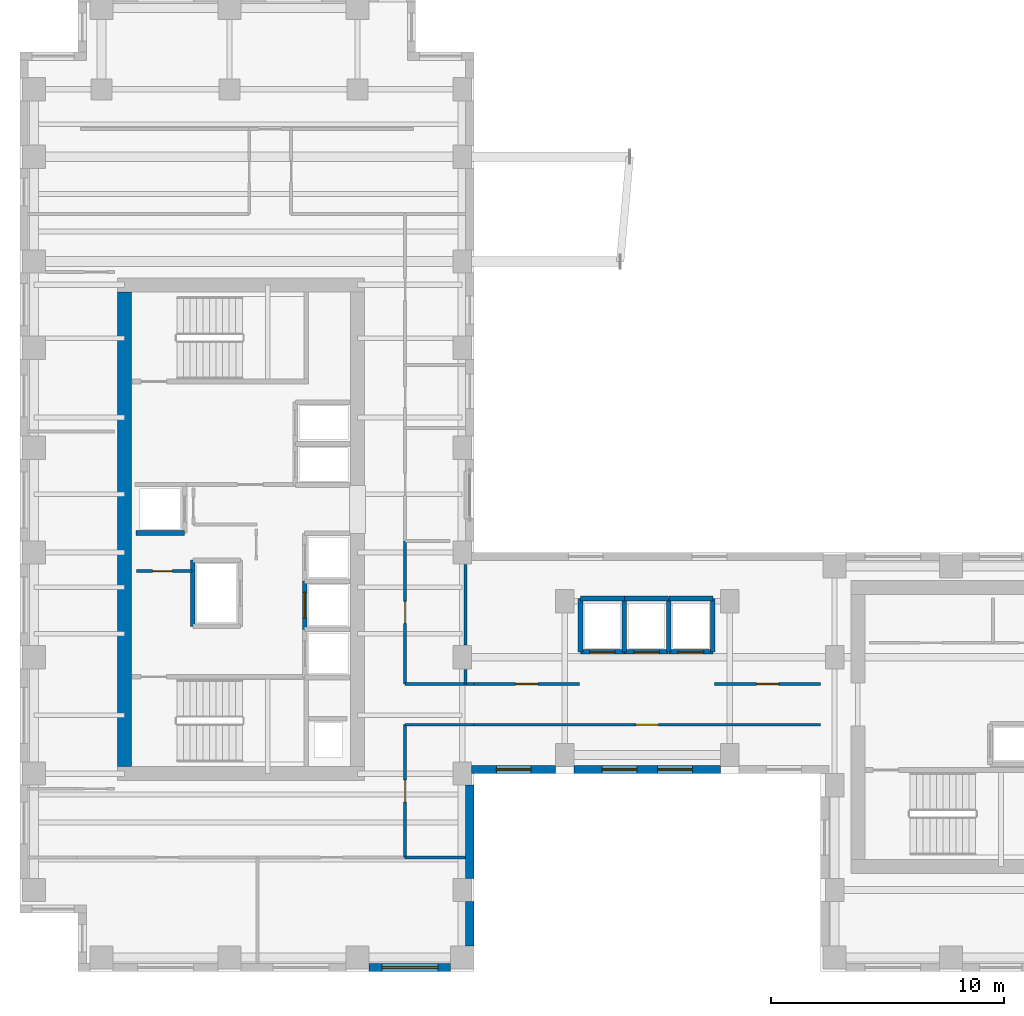
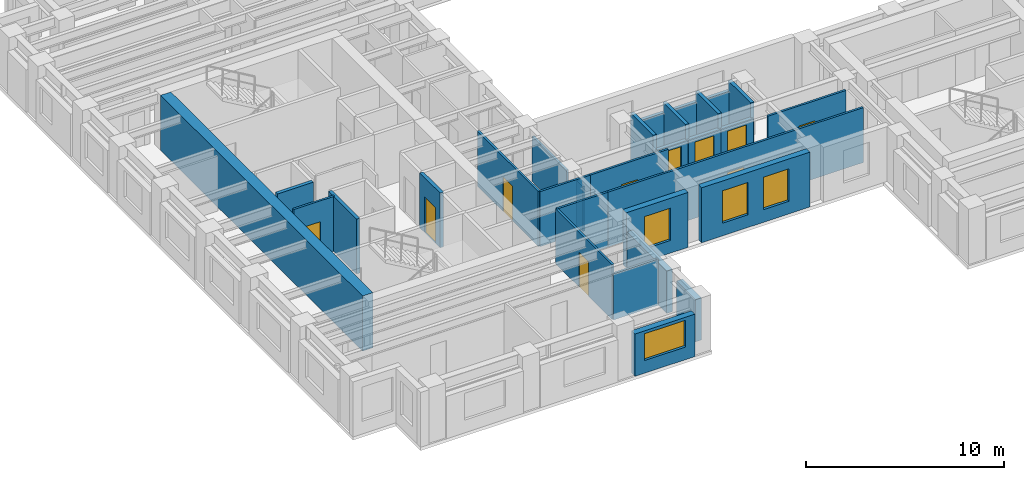
# One storey, part 6 of 13: 30 walls, 10 doors, 4 windows, 14 openings.
"""IFC4 building model written with IfcOpenShell, lengths in metres."""

from ifc_helpers import new_model, si_unit, direction, frame, frame_2d, origin, place, context, subcontext, project, spatial, rectangle, extrude, source, transform, mapped, material, layer, layer_set, type_object, element, fill, save


model = new_model("IFC4")

# Units and contexts
model_context = context("Model", 3, precision=1e-05, world=origin(), true_north=direction((0.0, 1.0)))
body_context = subcontext(model_context, "Body", "Model", "MODEL_VIEW")
ifc_project = project(units=[si_unit("LENGTHUNIT", "METRE"), si_unit("AREAUNIT", "SQUARE_METRE"), si_unit("VOLUMEUNIT", "CUBIC_METRE"), si_unit("PLANEANGLEUNIT", "RADIAN"), si_unit("MASSUNIT", "GRAM", prefix="KILO")], contexts=[model_context])

# Site, building, storey
site_placement = place(None, origin())
site = spatial("IfcSite", under=ifc_project, at=site_placement, CompositionType="ELEMENT")
building_placement = place(site_placement, origin())
building = spatial("IfcBuilding", under=site, at=building_placement, Name="Kharzan Plaza Tower", CompositionType="ELEMENT")
storey_placement = place(building_placement, frame((0.0, 0.0, 153.89990234375)))
storey = spatial("IfcBuildingStorey", under=building, at=storey_placement, Name="L41", CompositionType="ELEMENT", Elevation=153.89990234375)

# Wall, opening, window
ifc_material_1 = material(Name="Concrete C40/50", Category="concrete")
ifc_layer_1 = layer(ifc_material_1, 0.35009765625)
ifc_layer_set_1 = layer_set([ifc_layer_1], Name="Concrete C40/50")
wall_type_1 = type_object("IfcWallType", Name="WL-EXT-MAS-Z3", PredefinedType="SOLIDWALL", material=ifc_layer_set_1)
wall_1_placement = place(storey_placement, frame((14.998046875, 0.175048828125, 0.0), z_axis=(0.0, 0.0, 1.0), x_axis=(1.0, 0.0, 0.0)))
wall_1 = element("IfcWall", 1, at=wall_1_placement, inside=storey, type_object=wall_type_1, Name="L41 Masonry-Frame Exterior Wall 23", PredefinedType="SOLIDWALL", context=body_context, shape_type="SweptSolid", body=[
    extrude(rectangle(XDim=3.50390625, YDim=0.35009765625, at=frame_2d((1.751953125, 0.0))), origin(), (0.0, 0.0, 1.0), 2.612060546875),
])
opening_1_placement = place(wall_1_placement, frame((0.552001953125, 0.0, 0.780029296875)))
opening_1 = element("IfcOpeningElement", 2, at=opening_1_placement, cuts=wall_1, Name="Opening W2", PredefinedType="OPENING", context=body_context, shape_type="SweptSolid", body=[
    extrude(rectangle(XDim=2.39990234375, YDim=1.652099609375, at=frame_2d((1.199951171875, 0.826171875))), frame((0.0, 0.18505859375, 0.0), z_axis=(0.0, -1.0, 0.0), x_axis=(1.0, 0.0, 0.0)), (0.0, 0.0, 1.0), 0.3701171875),
])
ifc_material_2 = material(Name="Low-E Double Glazing", Category="glass")
window_type_1 = type_object("IfcWindowType", Name="WN-REC-2400x2100", PartitioningType="SINGLE_PANEL", PredefinedType="WINDOW", material=ifc_material_2)
shared_shape_1 = source(origin(), body_context, "Body", "SweptSolid", [
    extrude(rectangle(XDim=2.39990234375, YDim=1.652099609375, at=frame_2d((1.199951171875, 0.826171875))), frame((0.0, 0.030029296875, 0.0), z_axis=(0.0, -1.0, 0.0), x_axis=(1.0, 0.0, 0.0)), (0.0, 0.0, 1.0), 0.06005859375),
])
window_1_placement = place(opening_1_placement, origin())
window_1 = element("IfcWindow", 3, at=window_1_placement, inside=storey, type_object=window_type_1, Name="L41 Wide Recessed Solar-Control Window 23-1", OverallHeight=1.652099609375, OverallWidth=2.39990234375, PartitioningType="SINGLE_PANEL", PredefinedType="WINDOW", context=body_context, shape_type="MappedRepresentation", body=[
    mapped(shared_shape_1, transform((0.0, 0.0, 0.0), x_axis=(1.0, 0.0, 0.0), y_axis=(0.0, 1.0, 0.0), z_axis=(0.0, 0.0, 1.0))),
])
fill(opening_1, window_1)

wall_2_placement = place(storey_placement, frame((19.39794921875, 8.675048828125, 0.0), z_axis=(0.0, 0.0, 1.0), x_axis=(1.0, 0.0, 0.0)))
wall_2 = element("IfcWall", 4, at=wall_2_placement, inside=storey, type_object=wall_type_1, Name="L41 Masonry-Frame Exterior Wall 26", PredefinedType="SOLIDWALL", context=body_context, shape_type="SweptSolid", body=[
    extrude(rectangle(XDim=3.60400390625, YDim=0.35009765625, at=frame_2d((1.802001953125, 0.0))), origin(), (0.0, 0.0, 1.0), 3.385009765625),
])
opening_2_placement = place(wall_2_placement, frame((1.067138671875, 0.0, 0.780029296875)))
opening_2 = element("IfcOpeningElement", 5, at=opening_2_placement, cuts=wall_2, Name="Opening W5", PredefinedType="OPENING", context=body_context, shape_type="SweptSolid", body=[
    extrude(rectangle(XDim=1.5, YDim=2.0, at=frame_2d((0.75, 1.0))), frame((0.0, 0.18505859375, 0.0), z_axis=(0.0, -1.0, 0.0), x_axis=(1.0, 0.0, 0.0)), (0.0, 0.0, 1.0), 0.3701171875),
])
window_type_2 = type_object("IfcWindowType", Name="WN-SLT-1500x2000", PartitioningType="SINGLE_PANEL", PredefinedType="WINDOW", material=ifc_material_2)
shared_shape_2 = source(origin(), body_context, "Body", "SweptSolid", [
    extrude(rectangle(XDim=1.5, YDim=2.0, at=frame_2d((0.75, 1.0))), frame((0.0, 0.030029296875, 0.0), z_axis=(0.0, -1.0, 0.0), x_axis=(1.0, 0.0, 0.0)), (0.0, 0.0, 1.0), 0.06005859375),
])
window_2_placement = place(opening_2_placement, origin())
window_2 = element("IfcWindow", 6, at=window_2_placement, inside=storey, type_object=window_type_2, Name="L41 Recessed Solar-Control Window 26-1", OverallHeight=2.0, OverallWidth=1.5, PartitioningType="SINGLE_PANEL", PredefinedType="WINDOW", context=body_context, shape_type="MappedRepresentation", body=[
    mapped(shared_shape_2, transform((0.0, 0.0, 0.0), x_axis=(1.0, 0.0, 0.0), y_axis=(0.0, 1.0, 0.0), z_axis=(0.0, 0.0, 1.0))),
])
fill(opening_2, window_2)

# Wall, openings, windows
wall_3_placement = place(storey_placement, frame((23.798095703125, 8.675048828125, 0.0), z_axis=(0.0, 0.0, 1.0), x_axis=(1.0, 0.0, 0.0)))
wall_3 = element("IfcWall", 7, at=wall_3_placement, inside=storey, type_object=wall_type_1, Name="L41 Masonry-Frame Exterior Wall 27", PredefinedType="SOLIDWALL", context=body_context, shape_type="SweptSolid", body=[
    extrude(rectangle(XDim=6.303955078125, YDim=0.35009765625, at=frame_2d((3.15185546875, 0.0))), origin(), (0.0, 0.0, 1.0), 3.385009765625),
])
opening_3_placement = place(wall_3_placement, frame((1.2080078125, 0.0, 0.780029296875)))
opening_3 = element("IfcOpeningElement", 8, at=opening_3_placement, cuts=wall_3, Name="Opening W5", PredefinedType="OPENING", context=body_context, shape_type="SweptSolid", body=[
    extrude(rectangle(XDim=1.5, YDim=2.0, at=frame_2d((0.75, 1.0))), frame((0.0, 0.18505859375, 0.0), z_axis=(0.0, -1.0, 0.0), x_axis=(1.0, 0.0, 0.0)), (0.0, 0.0, 1.0), 0.3701171875),
])
opening_4_placement = place(wall_3_placement, frame((3.595947265625, 0.0, 0.780029296875)))
opening_4 = element("IfcOpeningElement", 9, at=opening_4_placement, cuts=wall_3, Name="Opening W5", PredefinedType="OPENING", context=body_context, shape_type="SweptSolid", body=[
    extrude(rectangle(XDim=1.5, YDim=2.0, at=frame_2d((0.75, 1.0))), frame((0.0, 0.18505859375, 0.0), z_axis=(0.0, -1.0, 0.0), x_axis=(1.0, 0.0, 0.0)), (0.0, 0.0, 1.0), 0.3701171875),
])
window_3_placement = place(opening_3_placement, origin())
window_3 = element("IfcWindow", 10, at=window_3_placement, inside=storey, type_object=window_type_2, Name="L41 Recessed Solar-Control Window 27-1", OverallHeight=2.0, OverallWidth=1.5, PartitioningType="SINGLE_PANEL", PredefinedType="WINDOW", context=body_context, shape_type="MappedRepresentation", body=[
    mapped(shared_shape_2, transform((0.0, 0.0, 0.0), x_axis=(1.0, 0.0, 0.0), y_axis=(0.0, 1.0, 0.0), z_axis=(0.0, 0.0, 1.0))),
])
fill(opening_3, window_3)
window_4_placement = place(opening_4_placement, origin())
window_4 = element("IfcWindow", 11, at=window_4_placement, inside=storey, type_object=window_type_2, Name="L41 Recessed Solar-Control Window 27-2", OverallHeight=2.0, OverallWidth=1.5, PartitioningType="SINGLE_PANEL", PredefinedType="WINDOW", context=body_context, shape_type="MappedRepresentation", body=[
    mapped(shared_shape_2, transform((0.0, 0.0, 0.0), x_axis=(1.0, 0.0, 0.0), y_axis=(0.0, 1.0, 0.0), z_axis=(0.0, 0.0, 1.0))),
])
fill(opening_4, window_4)

# Wall, opening, door
ifc_material_3 = material(Name="Fire-Rated Gypsum Board Partition", Category="gypsum")
ifc_layer_2 = layer(ifc_material_3, 0.125)
ifc_layer_set_2 = layer_set([ifc_layer_2], Name="Fire-Rated Gypsum Board Partition")
wall_type_2 = type_object("IfcWallType", Name="WL-INT-PART-125", PredefinedType="PARTITIONING", material=ifc_layer_set_2)
wall_4_placement = place(storey_placement, frame((5.0, 17.199951171875, 0.0), z_axis=(0.0, 0.0, 1.0), x_axis=(1.0, 0.0, 0.0)))
wall_4 = element("IfcWall", 12, at=wall_4_placement, inside=storey, type_object=wall_type_2, Name="L41 Interior Partition CA-K2N0", PredefinedType="PARTITIONING", context=body_context, shape_type="SweptSolid", body=[
    extrude(rectangle(XDim=2.39990234375, YDim=0.125, at=frame_2d((1.199951171875, 0.0))), origin(), (0.0, 0.0, 1.0), 3.385009765625),
])
opening_5_placement = place(wall_4_placement, frame((0.699951171875, 0.0, 0.0)))
opening_5 = element("IfcOpeningElement", 13, at=opening_5_placement, cuts=wall_4, Name="Opening RD1", PredefinedType="OPENING", context=body_context, shape_type="SweptSolid", body=[
    extrude(rectangle(XDim=0.85009765625, YDim=2.10009765625, at=frame_2d((0.425048828125, 1.050048828125))), frame((0.0, 0.072509765625, 0.0), z_axis=(0.0, -1.0, 0.0), x_axis=(1.0, 0.0, 0.0)), (0.0, 0.0, 1.0), 0.14501953125),
])
ifc_material_4 = material(Name="Powder-Coated Fire-Rated Steel", Category="steel")
door_type_1 = type_object("IfcDoorType", Name="DR-RISER-900", OperationType="NOTDEFINED", PredefinedType="DOOR", material=ifc_material_4)
shared_shape_3 = source(origin(), body_context, "Body", "SweptSolid", [
    extrude(rectangle(XDim=0.85009765625, YDim=2.10009765625, at=frame_2d((0.425048828125, 1.050048828125))), frame((0.0, 0.02490234375, 0.0), z_axis=(0.0, -1.0, 0.0), x_axis=(1.0, 0.0, 0.0)), (0.0, 0.0, 1.0), 0.050048828125),
])
door_1_placement = place(opening_5_placement, origin())
door_1 = element("IfcDoor", 14, at=door_1_placement, inside=storey, type_object=door_type_1, Name="L41 Core Electrical Store Door", OperationType="SINGLE_SWING_LEFT", OverallHeight=2.10009765625, OverallWidth=0.85009765625, PredefinedType="DOOR", context=body_context, shape_type="MappedRepresentation", body=[
    mapped(shared_shape_3, transform((0.0, 0.0, 0.0), x_axis=(1.0, 0.0, 0.0), y_axis=(0.0, 1.0, 0.0), z_axis=(0.0, 0.0, 1.0))),
])
fill(opening_5, door_1)

wall_5_placement = place(storey_placement, frame((16.550048828125, 12.35009765625, 0.0), z_axis=(0.0, 0.0, 1.0), x_axis=(0.0, 1.0, 0.0)))
wall_5 = element("IfcWall", 15, at=wall_5_placement, inside=storey, type_object=wall_type_2, Name="L41 Interior Partition SH-AEWN1", PredefinedType="PARTITIONING", context=body_context, shape_type="SweptSolid", body=[
    extrude(rectangle(XDim=6.14990234375, YDim=0.125, at=frame_2d((3.074951171875, 0.0))), origin(), (0.0, 0.0, 1.0), 3.385009765625),
])
opening_6_placement = place(wall_5_placement, frame((2.60009765625, 0.0, 0.0)))
opening_6 = element("IfcOpeningElement", 16, at=opening_6_placement, cuts=wall_5, Name="Opening OD1", PredefinedType="OPENING", context=body_context, shape_type="SweptSolid", body=[
    extrude(rectangle(XDim=0.949951171875, YDim=2.14990234375, at=frame_2d((0.47509765625, 1.074951171875))), frame((0.0, 0.072509765625, 0.0), z_axis=(0.0, -1.0, 0.0), x_axis=(1.0, 0.0, 0.0)), (0.0, 0.0, 1.0), 0.14501953125),
])
ifc_material_5 = material(Name="Acoustic Solid-Core Stained Oak", Category="timber")
door_type_2 = type_object("IfcDoorType", Name="DR-OFF-SINGLE", OperationType="NOTDEFINED", PredefinedType="DOOR", material=ifc_material_5)
shared_shape_4 = source(origin(), body_context, "Body", "SweptSolid", [
    extrude(rectangle(XDim=0.949951171875, YDim=2.14990234375, at=frame_2d((0.47509765625, 1.074951171875))), frame((0.0, 0.02490234375, 0.0), z_axis=(0.0, -1.0, 0.0), x_axis=(1.0, 0.0, 0.0)), (0.0, 0.0, 1.0), 0.050048828125),
])
door_2_placement = place(opening_6_placement, origin())
door_2 = element("IfcDoor", 17, at=door_2_placement, inside=storey, type_object=door_type_2, Name="L41 Slot Collaboration Door", OperationType="SINGLE_SWING_RIGHT", OverallHeight=2.14990234375, OverallWidth=0.949951171875, PredefinedType="DOOR", context=body_context, shape_type="MappedRepresentation", body=[
    mapped(shared_shape_4, transform((0.0, 0.0, 0.0), x_axis=(1.0, 0.0, 0.0), y_axis=(0.0, 1.0, 0.0), z_axis=(0.0, 0.0, 1.0))),
])
fill(opening_6, door_2)

wall_6_placement = place(storey_placement, frame((16.550048828125, 4.89990234375, 0.0), z_axis=(0.0, 0.0, 1.0), x_axis=(0.0, 1.0, 0.0)))
wall_6 = element("IfcWall", 18, at=wall_6_placement, inside=storey, type_object=wall_type_2, Name="L41 Interior Partition SH-AEWS", PredefinedType="PARTITIONING", context=body_context, shape_type="SweptSolid", body=[
    extrude(rectangle(XDim=5.7001953125, YDim=0.125, at=frame_2d((2.85009765625, 0.0))), origin(), (0.0, 0.0, 1.0), 3.385009765625),
])
opening_7_placement = place(wall_6_placement, frame((2.375, 0.0, 0.0)))
opening_7 = element("IfcOpeningElement", 19, at=opening_7_placement, cuts=wall_6, Name="Opening OD1", PredefinedType="OPENING", context=body_context, shape_type="SweptSolid", body=[
    extrude(rectangle(XDim=0.949951171875, YDim=2.14990234375, at=frame_2d((0.47509765625, 1.074951171875))), frame((0.0, 0.072509765625, 0.0), z_axis=(0.0, -1.0, 0.0), x_axis=(1.0, 0.0, 0.0)), (0.0, 0.0, 1.0), 0.14501953125),
])
door_3_placement = place(opening_7_placement, origin())
door_3 = element("IfcDoor", 20, at=door_3_placement, inside=storey, type_object=door_type_2, Name="L41 Slot South Office Door", OperationType="SINGLE_SWING_LEFT", OverallHeight=2.14990234375, OverallWidth=0.949951171875, PredefinedType="DOOR", context=body_context, shape_type="MappedRepresentation", body=[
    mapped(shared_shape_4, transform((0.0, 0.0, 0.0), x_axis=(1.0, 0.0, 0.0), y_axis=(0.0, 1.0, 0.0), z_axis=(0.0, 0.0, 1.0))),
])
fill(opening_7, door_3)

wall_7_placement = place(storey_placement, frame((29.85009765625, 12.35009765625, 0.0), z_axis=(0.0, 0.0, 1.0), x_axis=(1.0, 0.0, 0.0)))
wall_7 = element("IfcWall", 21, at=wall_7_placement, inside=storey, type_object=wall_type_2, Name="L41 Interior Partition SH-SPNE1", PredefinedType="PARTITIONING", context=body_context, shape_type="SweptSolid", body=[
    extrude(rectangle(XDim=4.5498046875, YDim=0.125, at=frame_2d((2.27490234375, 0.0))), origin(), (0.0, 0.0, 1.0), 3.385009765625),
])
opening_8_placement = place(wall_7_placement, frame((1.800048828125, 0.0, 0.0)))
opening_8 = element("IfcOpeningElement", 22, at=opening_8_placement, cuts=wall_7, Name="Opening OD1", PredefinedType="OPENING", context=body_context, shape_type="SweptSolid", body=[
    extrude(rectangle(XDim=0.949951171875, YDim=2.14990234375, at=frame_2d((0.47509765625, 1.074951171875))), frame((0.0, 0.072509765625, 0.0), z_axis=(0.0, -1.0, 0.0), x_axis=(1.0, 0.0, 0.0)), (0.0, 0.0, 1.0), 0.14501953125),
])
door_4_placement = place(opening_8_placement, origin())
door_4 = element("IfcDoor", 23, at=door_4_placement, inside=storey, type_object=door_type_2, Name="L41 North-East Spine Door", OperationType="SINGLE_SWING_RIGHT", OverallHeight=2.14990234375, OverallWidth=0.949951171875, PredefinedType="DOOR", context=body_context, shape_type="MappedRepresentation", body=[
    mapped(shared_shape_4, transform((0.0, 0.0, 0.0), x_axis=(1.0, 0.0, 0.0), y_axis=(0.0, 1.0, 0.0), z_axis=(0.0, 0.0, 1.0))),
])
fill(opening_8, door_4)

wall_8_placement = place(storey_placement, frame((19.5, 12.35009765625, 0.0), z_axis=(0.0, 0.0, 1.0), x_axis=(1.0, 0.0, 0.0)))
wall_8 = element("IfcWall", 24, at=wall_8_placement, inside=storey, type_object=wall_type_2, Name="L41 Interior Partition SH-SPNW1", PredefinedType="PARTITIONING", context=body_context, shape_type="SweptSolid", body=[
    extrude(rectangle(XDim=4.550048828125, YDim=0.125, at=frame_2d((2.27490234375, 0.0))), origin(), (0.0, 0.0, 1.0), 3.385009765625),
])
opening_9_placement = place(wall_8_placement, frame((1.800048828125, 0.0, 0.0)))
opening_9 = element("IfcOpeningElement", 25, at=opening_9_placement, cuts=wall_8, Name="Opening OD1", PredefinedType="OPENING", context=body_context, shape_type="SweptSolid", body=[
    extrude(rectangle(XDim=0.949951171875, YDim=2.14990234375, at=frame_2d((0.47509765625, 1.074951171875))), frame((0.0, 0.072509765625, 0.0), z_axis=(0.0, -1.0, 0.0), x_axis=(1.0, 0.0, 0.0)), (0.0, 0.0, 1.0), 0.14501953125),
])
door_5_placement = place(opening_9_placement, origin())
door_5 = element("IfcDoor", 26, at=door_5_placement, inside=storey, type_object=door_type_2, Name="L41 North-West Spine Door", OperationType="SINGLE_SWING_LEFT", OverallHeight=2.14990234375, OverallWidth=0.949951171875, PredefinedType="DOOR", context=body_context, shape_type="MappedRepresentation", body=[
    mapped(shared_shape_4, transform((0.0, 0.0, 0.0), x_axis=(1.0, 0.0, 0.0), y_axis=(0.0, 1.0, 0.0), z_axis=(0.0, 0.0, 1.0))),
])
fill(opening_9, door_5)

wall_9_placement = place(storey_placement, frame((19.5, 10.60009765625, 0.0), z_axis=(0.0, 0.0, 1.0), x_axis=(1.0, 0.0, 0.0)))
wall_9 = element("IfcWall", 27, at=wall_9_placement, inside=storey, type_object=wall_type_2, Name="L41 Interior Partition SH-SPS1", PredefinedType="PARTITIONING", context=body_context, shape_type="SweptSolid", body=[
    extrude(rectangle(XDim=14.89990234375, YDim=0.125, at=frame_2d((7.449951171875, 0.0))), origin(), (0.0, 0.0, 1.0), 3.385009765625),
])
opening_10_placement = place(wall_9_placement, frame((6.97509765625, 0.0, 0.0)))
opening_10 = element("IfcOpeningElement", 28, at=opening_10_placement, cuts=wall_9, Name="Opening OD1", PredefinedType="OPENING", context=body_context, shape_type="SweptSolid", body=[
    extrude(rectangle(XDim=0.949951171875, YDim=2.14990234375, at=frame_2d((0.47509765625, 1.074951171875))), frame((0.0, 0.072509765625, 0.0), z_axis=(0.0, -1.0, 0.0), x_axis=(1.0, 0.0, 0.0)), (0.0, 0.0, 1.0), 0.14501953125),
])
door_6_placement = place(opening_10_placement, origin())
door_6 = element("IfcDoor", 29, at=door_6_placement, inside=storey, type_object=door_type_2, Name="L41 South Spine Studio Door", OperationType="SINGLE_SWING_RIGHT", OverallHeight=2.14990234375, OverallWidth=0.949951171875, PredefinedType="DOOR", context=body_context, shape_type="MappedRepresentation", body=[
    mapped(shared_shape_4, transform((0.0, 0.0, 0.0), x_axis=(1.0, 0.0, 0.0), y_axis=(0.0, 1.0, 0.0), z_axis=(0.0, 0.0, 1.0))),
])
fill(opening_10, door_6)

ifc_layer_3 = layer(ifc_material_1, 0.199951171875)
ifc_layer_set_3 = layer_set([ifc_layer_3], Name="Concrete C40/50")
wall_type_3 = type_object("IfcWallType", Name="WL-INT-SHAFT-200", PredefinedType="PARTITIONING", material=ifc_layer_set_3)
wall_10_placement = place(storey_placement, frame((12.22998046875, 14.699951171875, 0.0), z_axis=(0.0, 0.0, 1.0), x_axis=(0.0, 1.0, 0.0)))
wall_10 = element("IfcWall", 30, at=wall_10_placement, inside=storey, type_object=wall_type_3, Name="L41 Interior Partition SHF-PL-H2-W", PredefinedType="PARTITIONING", context=body_context, shape_type="SweptSolid", body=[
    extrude(rectangle(XDim=2.070068359375, YDim=0.199951171875, at=frame_2d((1.03515625, 0.0))), origin(), (0.0, 0.0, 1.0), 3.385009765625),
])
opening_11_placement = place(wall_10_placement, frame((0.485107421875, 0.0, 0.0)))
opening_11 = element("IfcOpeningElement", 31, at=opening_11_placement, cuts=wall_10, Name="Opening LD", PredefinedType="OPENING", context=body_context, shape_type="SweptSolid", body=[
    extrude(rectangle(XDim=1.10009765625, YDim=2.199951171875, at=frame_2d((0.550048828125, 1.10009765625))), frame((0.0, 0.10986328125, 0.0), z_axis=(0.0, -1.0, 0.0), x_axis=(1.0, 0.0, 0.0)), (0.0, 0.0, 1.0), 0.219970703125),
])
ifc_material_6 = material(Name="Brushed Stainless Steel", Category="steel")
door_type_3 = type_object("IfcDoorType", Name="DR-LIFT-SLIDE", OperationType="SLIDING_TO_LEFT", PredefinedType="DOOR", material=ifc_material_6)
shared_shape_5 = source(origin(), body_context, "Body", "SweptSolid", [
    extrude(rectangle(XDim=1.10009765625, YDim=2.199951171875, at=frame_2d((0.550048828125, 1.10009765625))), frame((0.0, 0.02490234375, 0.0), z_axis=(0.0, -1.0, 0.0), x_axis=(1.0, 0.0, 0.0)), (0.0, 0.0, 1.0), 0.050048828125),
])
door_7_placement = place(opening_11_placement, origin())
door_7 = element("IfcDoor", 32, at=door_7_placement, inside=storey, type_object=door_type_3, Name="L41 High-Rise Passenger Lift PL-H2 Sliding Landing Door", OperationType="SLIDING_TO_LEFT", OverallHeight=2.199951171875, OverallWidth=1.10009765625, PredefinedType="DOOR", context=body_context, shape_type="MappedRepresentation", body=[
    mapped(shared_shape_5, transform((0.0, 0.0, 0.0), x_axis=(1.0, 0.0, 0.0), y_axis=(0.0, 1.0, 0.0), z_axis=(0.0, 0.0, 1.0))),
])
fill(opening_11, door_7)

wall_11_placement = place(storey_placement, frame((24.080078125, 13.72998046875, 0.0), z_axis=(0.0, 0.0, 1.0), x_axis=(1.0, 0.0, 0.0)))
wall_11 = element("IfcWall", 33, at=wall_11_placement, inside=storey, type_object=wall_type_3, Name="L41 Interior Partition SHF-PL-M1-S", PredefinedType="PARTITIONING", context=body_context, shape_type="SweptSolid", body=[
    extrude(rectangle(XDim=1.889892578125, YDim=0.199951171875, at=frame_2d((0.94482421875, 0.0))), origin(), (0.0, 0.0, 1.0), 2.466064453125),
])
opening_12_placement = place(wall_11_placement, frame((0.39501953125, 0.0, 0.0)))
opening_12 = element("IfcOpeningElement", 34, at=opening_12_placement, cuts=wall_11, Name="Opening LD", PredefinedType="OPENING", context=body_context, shape_type="SweptSolid", body=[
    extrude(rectangle(XDim=1.10009765625, YDim=2.199951171875, at=frame_2d((0.550048828125, 1.10009765625))), frame((0.0, 0.10986328125, 0.0), z_axis=(0.0, -1.0, 0.0), x_axis=(1.0, 0.0, 0.0)), (0.0, 0.0, 1.0), 0.219970703125),
])
door_8_placement = place(opening_12_placement, origin())
door_8 = element("IfcDoor", 35, at=door_8_placement, inside=storey, type_object=door_type_3, Name="L41 Mid-Rise Passenger Lift PL-M1 Sliding Landing Door", OperationType="SLIDING_TO_LEFT", OverallHeight=2.199951171875, OverallWidth=1.10009765625, PredefinedType="DOOR", context=body_context, shape_type="MappedRepresentation", body=[
    mapped(shared_shape_5, transform((0.0, 0.0, 0.0), x_axis=(1.0, 0.0, 0.0), y_axis=(0.0, 1.0, 0.0), z_axis=(0.0, 0.0, 1.0))),
])
fill(opening_12, door_8)

wall_12_placement = place(storey_placement, frame((25.97998046875, 13.72998046875, 0.0), z_axis=(0.0, 0.0, 1.0), x_axis=(1.0, 0.0, 0.0)))
wall_12 = element("IfcWall", 36, at=wall_12_placement, inside=storey, type_object=wall_type_3, Name="L41 Interior Partition SHF-PL-M2-S", PredefinedType="PARTITIONING", context=body_context, shape_type="SweptSolid", body=[
    extrude(rectangle(XDim=1.89013671875, YDim=0.199951171875, at=frame_2d((0.945068359375, 0.0))), origin(), (0.0, 0.0, 1.0), 2.466064453125),
])
opening_13_placement = place(wall_12_placement, frame((0.39501953125, 0.0, 0.0)))
opening_13 = element("IfcOpeningElement", 37, at=opening_13_placement, cuts=wall_12, Name="Opening LD", PredefinedType="OPENING", context=body_context, shape_type="SweptSolid", body=[
    extrude(rectangle(XDim=1.10009765625, YDim=2.199951171875, at=frame_2d((0.550048828125, 1.10009765625))), frame((0.0, 0.10986328125, 0.0), z_axis=(0.0, -1.0, 0.0), x_axis=(1.0, 0.0, 0.0)), (0.0, 0.0, 1.0), 0.219970703125),
])
door_9_placement = place(opening_13_placement, origin())
door_9 = element("IfcDoor", 38, at=door_9_placement, inside=storey, type_object=door_type_3, Name="L41 Mid-Rise Passenger Lift PL-M2 Sliding Landing Door", OperationType="SLIDING_TO_LEFT", OverallHeight=2.199951171875, OverallWidth=1.10009765625, PredefinedType="DOOR", context=body_context, shape_type="MappedRepresentation", body=[
    mapped(shared_shape_5, transform((0.0, 0.0, 0.0), x_axis=(1.0, 0.0, 0.0), y_axis=(0.0, 1.0, 0.0), z_axis=(0.0, 0.0, 1.0))),
])
fill(opening_13, door_9)

wall_13_placement = place(storey_placement, frame((27.8798828125, 13.72998046875, 0.0), z_axis=(0.0, 0.0, 1.0), x_axis=(1.0, 0.0, 0.0)))
wall_13 = element("IfcWall", 39, at=wall_13_placement, inside=storey, type_object=wall_type_3, Name="L41 Interior Partition SHF-PL-M3-S", PredefinedType="PARTITIONING", context=body_context, shape_type="SweptSolid", body=[
    extrude(rectangle(XDim=1.89013671875, YDim=0.199951171875, at=frame_2d((0.945068359375, 0.0))), origin(), (0.0, 0.0, 1.0), 2.466064453125),
])
opening_14_placement = place(wall_13_placement, frame((0.39501953125, 0.0, 0.0)))
opening_14 = element("IfcOpeningElement", 40, at=opening_14_placement, cuts=wall_13, Name="Opening LD", PredefinedType="OPENING", context=body_context, shape_type="SweptSolid", body=[
    extrude(rectangle(XDim=1.10009765625, YDim=2.199951171875, at=frame_2d((0.550048828125, 1.10009765625))), frame((0.0, 0.10986328125, 0.0), z_axis=(0.0, -1.0, 0.0), x_axis=(1.0, 0.0, 0.0)), (0.0, 0.0, 1.0), 0.219970703125),
])
door_10_placement = place(opening_14_placement, origin())
door_10 = element("IfcDoor", 41, at=door_10_placement, inside=storey, type_object=door_type_3, Name="L41 Mid-Rise Passenger Lift PL-M3 Sliding Landing Door", OperationType="SLIDING_TO_LEFT", OverallHeight=2.199951171875, OverallWidth=1.10009765625, PredefinedType="DOOR", context=body_context, shape_type="MappedRepresentation", body=[
    mapped(shared_shape_5, transform((0.0, 0.0, 0.0), x_axis=(1.0, 0.0, 0.0), y_axis=(0.0, 1.0, 0.0), z_axis=(0.0, 0.0, 1.0))),
])
fill(opening_14, door_10)

# Walls
shared_shape_6 = source(origin(), body_context, "Body", "SweptSolid", [
    extrude(rectangle(XDim=2.090087890625, YDim=0.199951171875, at=frame_2d((1.044921875, 0.0))), origin(), (0.0, 0.0, 1.0), 3.385009765625),
])
wall_14_placement = place(storey_placement, frame((4.97998046875, 18.840087890625, 0.0), z_axis=(0.0, 0.0, 1.0), x_axis=(1.0, 0.0, 0.0)))
element("IfcWall", 42, at=wall_14_placement, inside=storey, type_object=wall_type_3, Name="L41 Interior Partition SHF-PL-H4-S", PredefinedType="PARTITIONING", context=body_context, shape_type="MappedRepresentation", body=[
    mapped(shared_shape_6, transform((0.0, 0.0, 0.0), x_axis=(1.0, 0.0, 0.0), y_axis=(0.0, 1.0, 0.0), z_axis=(0.0, 0.0, 1.0))),
])
shared_shape_7 = source(origin(), body_context, "Body", "SweptSolid", [
    extrude(rectangle(XDim=2.2900390625, YDim=0.199951171875, at=frame_2d((1.14501953125, 0.0))), origin(), (0.0, 0.0, 1.0), 3.385009765625),
])
for number, where, z_axis, x_axis, name in (
    (43, (25.969970703125, 13.72998046875, 0.0), (0.0, 0.0, 1.0), (0.0, 1.0, 0.0), "L41 Interior Partition SHF-PL-M1-E"),
    (44, (24.080078125, 13.72998046875, 0.0), (0.0, 0.0, 1.0), (0.0, 1.0, 0.0), "L41 Interior Partition SHF-PL-M1-W"),
    (45, (27.8701171875, 13.72998046875, 0.0), (0.0, 0.0, 1.0), (0.0, 1.0, 0.0), "L41 Interior Partition SHF-PL-M2-E"),
    (46, (29.77001953125, 13.72998046875, 0.0), (0.0, 0.0, 1.0), (0.0, 1.0, 0.0), "L41 Interior Partition SHF-PL-M3-E"),
):
    element("IfcWall", number, at=place(storey_placement, frame(where, z_axis=z_axis, x_axis=x_axis)), inside=storey, type_object=wall_type_3, Name=name, PredefinedType="PARTITIONING", context=body_context, shape_type="MappedRepresentation", body=[
        mapped(shared_shape_7, transform((0.0, 0.0, 0.0), x_axis=(1.0, 0.0, 0.0), y_axis=(0.0, 1.0, 0.0), z_axis=(0.0, 0.0, 1.0))),
    ])
shared_shape_8 = source(origin(), body_context, "Body", "SweptSolid", [
    extrude(rectangle(XDim=2.83984375, YDim=0.199951171875, at=frame_2d((1.419921875, 0.0))), origin(), (0.0, 0.0, 1.0), 3.385009765625),
])
wall_15_placement = place(storey_placement, frame((7.429931640625, 14.830078125, 0.0), z_axis=(0.0, 0.0, 1.0), x_axis=(0.0, 1.0, 0.0)))
element("IfcWall", 47, at=wall_15_placement, inside=storey, type_object=wall_type_3, Name="L41 Interior Partition SHF-SVL-1-W", PredefinedType="PARTITIONING", context=body_context, shape_type="MappedRepresentation", body=[
    mapped(shared_shape_8, transform((0.0, 0.0, 0.0), x_axis=(1.0, 0.0, 0.0), y_axis=(0.0, 1.0, 0.0), z_axis=(0.0, 0.0, 1.0))),
])
ifc_material_7 = material(Name="Concrete C50/60", Category="concrete")
ifc_layer_4 = layer(ifc_material_7, 0.60009765625)
ifc_layer_set_4 = layer_set([ifc_layer_4], Name="Concrete C50/60")
wall_type_4 = type_object("IfcWallType", Name="WL-CORE-600", PredefinedType="SHEAR", material=ifc_layer_set_4)
shared_shape_9 = source(origin(), body_context, "Body", "SweptSolid", [
    extrude(rectangle(XDim=20.39990234375, YDim=0.60009765625, at=frame_2d((10.199951171875, 0.0))), origin(), (0.0, 0.0, 1.0), 3.400146484375),
])
wall_16_placement = place(storey_placement, frame((4.5, 8.800048828125, 0.0), z_axis=(0.0, 0.0, 1.0), x_axis=(0.0, 1.0, 0.0)))
element("IfcWall", 48, at=wall_16_placement, inside=storey, type_object=wall_type_4, Name="L41 CORE-A west RC shear wall", PredefinedType="SHEAR", context=body_context, shape_type="MappedRepresentation", body=[
    mapped(shared_shape_9, transform((0.0, 0.0, 0.0), x_axis=(1.0, 0.0, 0.0), y_axis=(0.0, 1.0, 0.0), z_axis=(0.0, 0.0, 1.0))),
])
shared_shape_10 = source(origin(), body_context, "Body", "SweptSolid", [
    extrude(rectangle(XDim=1.904052734375, YDim=0.35009765625, at=frame_2d((0.9521484375, 0.0))), origin(), (0.0, 0.0, 1.0), 2.612060546875),
])
wall_17_placement = place(storey_placement, frame((19.324951171875, 1.097900390625, 0.0), z_axis=(0.0, 0.0, 1.0), x_axis=(0.0, 1.0, 0.0)))
element("IfcWall", 49, at=wall_17_placement, inside=storey, type_object=wall_type_1, Name="L41 Masonry-Frame Exterior Wall 24", PredefinedType="SOLIDWALL", context=body_context, shape_type="MappedRepresentation", body=[
    mapped(shared_shape_10, transform((0.0, 0.0, 0.0), x_axis=(1.0, 0.0, 0.0), y_axis=(0.0, 1.0, 0.0), z_axis=(0.0, 0.0, 1.0))),
])
shared_shape_11 = source(origin(), body_context, "Body", "SweptSolid", [
    extrude(rectangle(XDim=2.949951171875, YDim=0.125, at=frame_2d((1.47509765625, 0.0))), origin(), (0.0, 0.0, 1.0), 3.385009765625),
])
for number, where, z_axis, x_axis, name in (
    (50, (16.550048828125, 12.35009765625, 0.0), (0.0, 0.0, 1.0), (1.0, 0.0, 0.0), "L41 Interior Partition SH-SPNW0"),
    (51, (16.550048828125, 10.60009765625, 0.0), (0.0, 0.0, 1.0), (1.0, 0.0, 0.0), "L41 Interior Partition SH-SPS0"),
):
    element("IfcWall", number, at=place(storey_placement, frame(where, z_axis=z_axis, x_axis=x_axis)), inside=storey, type_object=wall_type_2, Name=name, PredefinedType="PARTITIONING", context=body_context, shape_type="MappedRepresentation", body=[
        mapped(shared_shape_11, transform((0.0, 0.0, 0.0), x_axis=(1.0, 0.0, 0.0), y_axis=(0.0, 1.0, 0.0), z_axis=(0.0, 0.0, 1.0))),
    ])
shared_shape_12 = source(origin(), body_context, "Body", "SweptSolid", [
    extrude(rectangle(XDim=4.00390625, YDim=0.35009765625, at=frame_2d((2.001953125, 0.0))), origin(), (0.0, 0.0, 1.0), 2.612060546875),
])
wall_18_placement = place(storey_placement, frame((19.324951171875, 3.998046875, 0.0), z_axis=(0.0, 0.0, 1.0), x_axis=(0.0, 1.0, 0.0)))
element("IfcWall", 52, at=wall_18_placement, inside=storey, type_object=wall_type_1, Name="L41 Masonry-Frame Exterior Wall 25", PredefinedType="SOLIDWALL", context=body_context, shape_type="MappedRepresentation", body=[
    mapped(shared_shape_12, transform((0.0, 0.0, 0.0), x_axis=(1.0, 0.0, 0.0), y_axis=(0.0, 1.0, 0.0), z_axis=(0.0, 0.0, 1.0))),
])
shared_shape_13 = source(origin(), body_context, "Body", "SweptSolid", [
    extrude(rectangle(XDim=0.6298828125, YDim=0.125, at=frame_2d((0.31494140625, 0.0))), origin(), (0.0, 0.0, 1.0), 2.773193359375),
])
wall_19_placement = place(storey_placement, frame((19.14990234375, 12.35009765625, 0.0), z_axis=(0.0, 0.0, 1.0), x_axis=(0.0, 1.0, 0.0)))
element("IfcWall", 53, at=wall_19_placement, inside=storey, type_object=wall_type_2, Name="L41 Interior Partition SH-AEN-DIV-S1", PredefinedType="PARTITIONING", context=body_context, shape_type="MappedRepresentation", body=[
    mapped(shared_shape_13, transform((0.0, 0.0, 0.0), x_axis=(1.0, 0.0, 0.0), y_axis=(0.0, 1.0, 0.0), z_axis=(0.0, 0.0, 1.0))),
])
shared_shape_14 = source(origin(), body_context, "Body", "SweptSolid", [
    extrude(rectangle(XDim=3.4599609375, YDim=0.125, at=frame_2d((1.72998046875, 0.0))), origin(), (0.0, 0.0, 1.0), 2.773193359375),
])
wall_20_placement = place(storey_placement, frame((19.14990234375, 14.02001953125, 0.0), z_axis=(0.0, 0.0, 1.0), x_axis=(0.0, 1.0, 0.0)))
element("IfcWall", 54, at=wall_20_placement, inside=storey, type_object=wall_type_2, Name="L41 Interior Partition SH-AEN-DIV-S2", PredefinedType="PARTITIONING", context=body_context, shape_type="MappedRepresentation", body=[
    mapped(shared_shape_14, transform((0.0, 0.0, 0.0), x_axis=(1.0, 0.0, 0.0), y_axis=(0.0, 1.0, 0.0), z_axis=(0.0, 0.0, 1.0))),
])
shared_shape_15 = source(origin(), body_context, "Body", "SweptSolid", [
    extrude(rectangle(XDim=2.597900390625, YDim=0.125, at=frame_2d((1.298828125, 0.0))), origin(), (0.0, 0.0, 1.0), 2.84814453125),
])
wall_21_placement = place(storey_placement, frame((16.550048828125, 4.89990234375, 0.0), z_axis=(0.0, 0.0, 1.0), x_axis=(1.0, 0.0, 0.0)))
element("IfcWall", 55, at=wall_21_placement, inside=storey, type_object=wall_type_2, Name="L41 Interior Partition SH-SSE-2", PredefinedType="PARTITIONING", context=body_context, shape_type="MappedRepresentation", body=[
    mapped(shared_shape_15, transform((0.0, 0.0, 0.0), x_axis=(1.0, 0.0, 0.0), y_axis=(0.0, 1.0, 0.0), z_axis=(0.0, 0.0, 1.0))),
])
shared_shape_16 = source(origin(), body_context, "Body", "SweptSolid", [
    extrude(rectangle(XDim=1.889892578125, YDim=0.199951171875, at=frame_2d((0.94482421875, 0.0))), origin(), (0.0, 0.0, 1.0), 2.773193359375),
])
wall_22_placement = place(storey_placement, frame((24.080078125, 16.02001953125, 0.0), z_axis=(0.0, 0.0, 1.0), x_axis=(1.0, 0.0, 0.0)))
element("IfcWall", 56, at=wall_22_placement, inside=storey, type_object=wall_type_3, Name="L41 Interior Partition SHF-PL-M1-N", PredefinedType="PARTITIONING", context=body_context, shape_type="MappedRepresentation", body=[
    mapped(shared_shape_16, transform((0.0, 0.0, 0.0), x_axis=(1.0, 0.0, 0.0), y_axis=(0.0, 1.0, 0.0), z_axis=(0.0, 0.0, 1.0))),
])
shared_shape_17 = source(origin(), body_context, "Body", "SweptSolid", [
    extrude(rectangle(XDim=1.89013671875, YDim=0.199951171875, at=frame_2d((0.945068359375, 0.0))), origin(), (0.0, 0.0, 1.0), 2.773193359375),
])
for number, where, z_axis, x_axis, name in (
    (57, (25.97998046875, 16.02001953125, 0.0), (0.0, 0.0, 1.0), (1.0, 0.0, 0.0), "L41 Interior Partition SHF-PL-M2-N"),
    (58, (27.8798828125, 16.02001953125, 0.0), (0.0, 0.0, 1.0), (1.0, 0.0, 0.0), "L41 Interior Partition SHF-PL-M3-N"),
):
    element("IfcWall", number, at=place(storey_placement, frame(where, z_axis=z_axis, x_axis=x_axis)), inside=storey, type_object=wall_type_3, Name=name, PredefinedType="PARTITIONING", context=body_context, shape_type="MappedRepresentation", body=[
        mapped(shared_shape_17, transform((0.0, 0.0, 0.0), x_axis=(1.0, 0.0, 0.0), y_axis=(0.0, 1.0, 0.0), z_axis=(0.0, 0.0, 1.0))),
    ])

save(model, "model.ifc")
